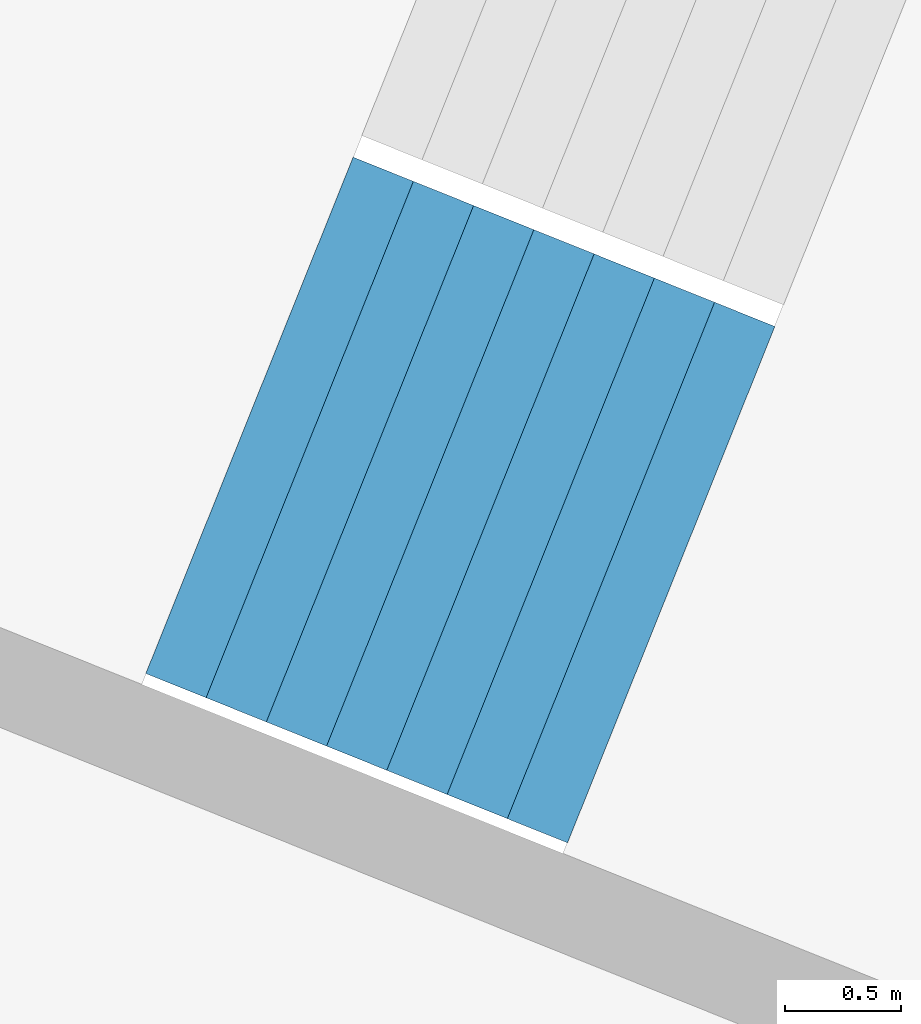
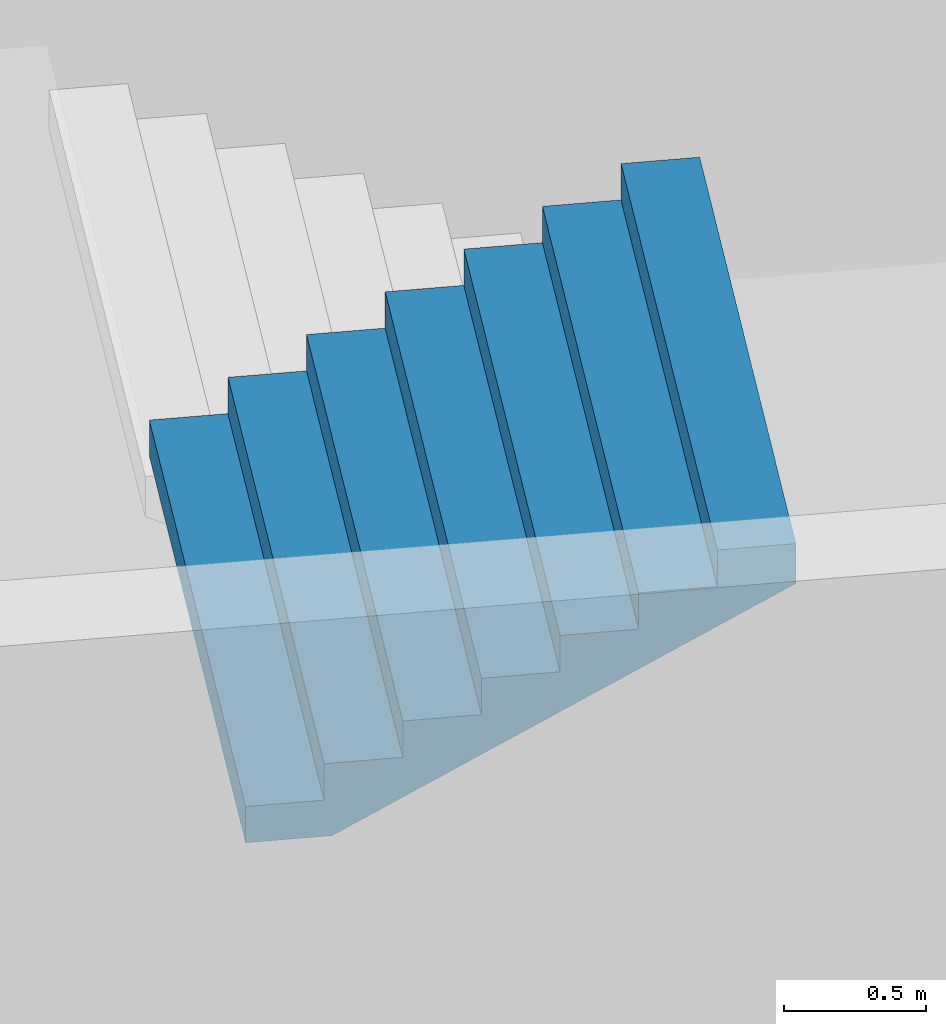
# One storey, part 34 of 73: 1 stair flight, 1 element without a shape of its own.
"""IFC4 building model written with IfcOpenShell, lengths in metres."""

import ifcopenshell
import ifcopenshell.guid

model = None  # the IFC model being written
_history = None  # IfcOwnerHistory: only IFC2X3 demands one
_inside = {}  # id of a spatial element -> (the spatial element, [elements in it])
_under = {}  # id of a project, library or spatial element -> (it, [spatial elements below it])
_declared = {}  # id of a project -> (the project, [libraries it declares])
_typed = {}  # id of a type object -> (the type object, [elements of that type])
_made_of = {}  # id of a material, layer set ... -> (it, [elements and type objects made of it])


def new_model(schema):
    """Start an empty IFC model of exactly this schema.

    Asked for "IFC4X3", IfcOpenShell would pick the latest addendum, in which some entities
    have other attributes; the version numbers below select the first issue.
    IFC2X3 requires an IfcOwnerHistory on every rooted entity: one is made here for all.
    """
    global model, _history
    if schema == "IFC4X3":
        model = ifcopenshell.file(schema_version=(4, 3, 0, 0))
    else:
        model = ifcopenshell.file(schema=schema)
    _inside.clear()
    _under.clear()
    _declared.clear()
    _typed.clear()
    _made_of.clear()
    _history = None
    if model.schema == "IFC2X3":
        org = make("IfcOrganization", Name="unknown")
        user = make(
            "IfcPersonAndOrganization",
            ThePerson=make("IfcPerson", FamilyName="unknown"),
            TheOrganization=org,
        )
        app = make(
            "IfcApplication",
            ApplicationDeveloper=org,
            Version="unknown",
            ApplicationFullName="unknown",
            ApplicationIdentifier="unknown",
        )
        _history = make(
            "IfcOwnerHistory",
            OwningUser=user,
            OwningApplication=app,
            ChangeAction="ADDED",
            CreationDate=0,
        )
    return model


def make(cls, **values):
    """One entity of the class cls with the attributes given. An attribute that is None is left unset."""
    return model.create_entity(
        cls, **{name: value for name, value in values.items() if value is not None}
    )


def rooted(cls, **values):
    """An entity with a GlobalId (a new one), such as an element, a storey or a relation."""
    return make(cls, GlobalId=ifcopenshell.guid.new(), OwnerHistory=_history, **values)


def si_unit(unit_type, name, prefix=None):
    """IfcSIUnit, for example si_unit("LENGTHUNIT", "METRE", prefix="MILLI")."""
    return make("IfcSIUnit", UnitType=unit_type, Prefix=prefix, Name=name)


def assignment(units):
    """IfcUnitAssignment: the units of a project."""
    return None if units is None else make("IfcUnitAssignment", Units=units)


def point(xyz):
    """IfcCartesianPoint."""
    return None if xyz is None else make("IfcCartesianPoint", Coordinates=xyz)


def direction(xyz):
    """IfcDirection."""
    return None if xyz is None else make("IfcDirection", DirectionRatios=xyz)


def frame(location, z_axis=None, x_axis=None):
    """IfcAxis2Placement3D, a coordinate frame: its origin and axes. An axis left out is left unset."""
    return make(
        "IfcAxis2Placement3D",
        Location=point(location),
        Axis=direction(z_axis),
        RefDirection=direction(x_axis),
    )


def origin():
    """The frame at (0, 0, 0) with its axes left unset."""
    return frame((0.0, 0.0, 0.0))


def place(relative_to, where):
    """IfcLocalPlacement: puts the frame where relative to a parent placement (None: the world)."""
    return make(
        "IfcLocalPlacement", PlacementRelTo=relative_to, RelativePlacement=where
    )


def context(
    kind, dimensions, precision=None, world=None, true_north=None, identifier=None
):
    """IfcGeometricRepresentationContext, for example the 3D "Model" context."""
    return make(
        "IfcGeometricRepresentationContext",
        ContextIdentifier=identifier,
        ContextType=kind,
        CoordinateSpaceDimension=dimensions,
        Precision=precision,
        WorldCoordinateSystem=world,
        TrueNorth=true_north,
    )


def subcontext(parent, identifier, kind, view, scale=None):
    """IfcGeometricRepresentationSubContext, for example "Body" below "Model"."""
    return make(
        "IfcGeometricRepresentationSubContext",
        ContextIdentifier=identifier,
        ContextType=kind,
        ParentContext=parent,
        TargetScale=scale,
        TargetView=view,
    )


def project(units=None, contexts=None):
    """IfcProject with its units and contexts."""
    return rooted(
        "IfcProject",
        Name="project",
        RepresentationContexts=contexts,
        UnitsInContext=assignment(units),
    )


def spatial(cls, under=None, at=None, **own):
    """A site, building, storey or space (cls), placed at a placement, below another one or the project."""
    s = rooted(cls, ObjectPlacement=at, **own)
    if under is not None:
        _under.setdefault(under.id(), (under, []))[1].append(s)
    return s


def point_list(points):
    """IfcCartesianPointList2D or 3D."""
    cls = (
        "IfcCartesianPointList2D" if len(points[0]) == 2 else "IfcCartesianPointList3D"
    )
    return make(cls, CoordList=points)


def triangles(points, corners, closed=None, point_numbers=None):
    """IfcTriangulatedFaceSet: each triangle names its three corners, points numbered from 1."""
    return make(
        "IfcTriangulatedFaceSet",
        Coordinates=point_list(points),
        Closed=closed,
        CoordIndex=corners,
        PnIndex=point_numbers,
    )


def shape(context_of_items, identifier, shape_type, items):
    """IfcShapeRepresentation: the items that make up one representation, for example the "Body"."""
    return make(
        "IfcShapeRepresentation",
        ContextOfItems=context_of_items,
        RepresentationIdentifier=identifier,
        RepresentationType=shape_type,
        Items=items,
    )


def material(Name=None, Category=None):
    """IfcMaterial."""
    return make("IfcMaterial", Name=Name, Category=Category)


def made_of(thing, what):
    """Note that an element or type object is made of a material, layer set ...; save() writes the relation."""
    if what is not None:
        _made_of.setdefault(what.id(), (what, []))[1].append(thing)
    return thing


def type_object(cls, material=None, **own):
    """A type object (cls), such as IfcWallType, which elements share."""
    return made_of(rooted(cls, **own), material)


def element(
    cls,
    number,
    at=None,
    inside=None,
    cuts=None,
    type_object=None,
    material=None,
    context=None,
    identifier="Body",
    shape_type=None,
    held_by="IfcProductDefinitionShape",
    body=None,
    shapes=None,
    **own,
):
    """One element of the class cls, such as IfcWall. Its Tag is "e" and its number.

    at: its placement. inside: the storey or other place that contains it. cuts: it is an
    opening in that element (IfcRelVoidsElement). A single representation is given by context,
    identifier, shape_type and body (its items); several are given by shapes. held_by: the class
    of the entity that holds the representations. save() writes the other relations.
    """
    e = rooted(cls, Tag="e%d" % number, ObjectPlacement=at, **own)
    if body is not None:
        shapes = [shape(context, identifier, shape_type, body)]
    if shapes is not None:
        e.Representation = make(held_by, Representations=shapes)
    if inside is not None:
        _inside.setdefault(inside.id(), (inside, []))[1].append(e)
    if cuts is not None:
        rooted(
            "IfcRelVoidsElement", RelatingBuildingElement=cuts, RelatedOpeningElement=e
        )
    if type_object is not None:
        _typed.setdefault(type_object.id(), (type_object, []))[1].append(e)
    return made_of(e, material)


def aggregate(whole, parts):
    """IfcRelAggregates: a whole, such as a stair, and the parts it consists of."""
    return rooted("IfcRelAggregates", RelatingObject=whole, RelatedObjects=parts)


def save(model, path):
    """Write the relations noted so far, then the file.

    IfcRelAggregates (storeys below a building ...), IfcRelContainedInSpatialStructure (elements
    in a storey), IfcRelDefinesByType, IfcRelAssociatesMaterial and IfcRelDeclares: one each for
    every whole, place, type object, material and project.
    """
    for whole, parts in _under.values():
        aggregate(whole, parts)
    for where, things in _inside.values():
        rooted(
            "IfcRelContainedInSpatialStructure",
            RelatedElements=things,
            RelatingStructure=where,
        )
    for kind, things in _typed.values():
        rooted("IfcRelDefinesByType", RelatedObjects=things, RelatingType=kind)
    for what, things in _made_of.values():
        rooted("IfcRelAssociatesMaterial", RelatedObjects=things, RelatingMaterial=what)
    for by, libraries in _declared.values():
        rooted("IfcRelDeclares", RelatingContext=by, RelatedDefinitions=libraries)
    model.write(path)


model = new_model("IFC4")

# Units and contexts
model_context = context("Model", 3, precision=1e-05, world=origin(), true_north=direction((0.0, 1.0)))
body_context = subcontext(model_context, "Body", "Model", "MODEL_VIEW")
ifc_project = project(units=[si_unit("LENGTHUNIT", "METRE"), si_unit("AREAUNIT", "SQUARE_METRE"), si_unit("VOLUMEUNIT", "CUBIC_METRE"), si_unit("PLANEANGLEUNIT", "RADIAN"), si_unit("MASSUNIT", "GRAM", prefix="KILO")], contexts=[model_context])

# Site, building, storey
site_placement = place(None, origin())
site = spatial("IfcSite", under=ifc_project, at=site_placement, CompositionType="ELEMENT")
building_placement = place(site_placement, origin())
building = spatial("IfcBuilding", under=site, at=building_placement, Name="Lantaw Convention Tower", CompositionType="ELEMENT")
storey_placement = place(building_placement, frame((0.0, 0.0, 22.0)))
storey = spatial("IfcBuildingStorey", under=building, at=storey_placement, Name="L03", CompositionType="ELEMENT", Elevation=22.0)

# Stair, stair flight
ifc_material = material(Name="Concrete C35/45", Category="concrete")
stair_type = type_object("IfcStairType", Name="Exit stair 2400 riser 156.25 in 4 flights", PredefinedType="HALF_TURN_STAIR", material=ifc_material)
stair_placement = place(storey_placement, origin())
stair = element("IfcStair", 1, at=stair_placement, inside=storey, type_object=stair_type, Name="Podium exit stair P8 L03", PredefinedType="HALF_TURN_STAIR")
stair_flight_type = type_object("IfcStairFlightType", Name="Stair flight 2400 riser 156.25", PredefinedType="STRAIGHT", material=ifc_material)
stair_flight_placement = place(storey_placement, frame((-38.5498046875, 14.12841796875, 3.75), z_axis=(0.0, 0.0, 1.0), x_axis=(0.928015168305, -0.372542410198, 0.0)))
stair_flight = element("IfcStairFlight", 2, at=stair_flight_placement, type_object=stair_flight_type, Name="P8 flight 4", NumberOfRisers=8, NumberOfTreads=7, PredefinedType="STRAIGHT", RiserHeight=0.15625, TreadLength=0.28, context=body_context, shape_type="Tessellation", body=[
    triangles([(0.0, 1.199951171875, 0.0), (0.0, 1.199951171875, 0.15625), (0.28, 1.199951171875, 0.0), (0.28, 1.199951171875, 0.15625), (0.28, 1.199951171875, 0.3125), (0.3076200632058044, 1.199951171875, 0.0), (0.3076200632058044, 1.199951171875, 0.3125), (0.56, 1.199951171875, 0.14083701830033238), (0.56, 1.199951171875, 0.3125), (0.56, 1.199951171875, 0.46875), (0.8400000000000001, 1.199951171875, 0.29708701830033235), (0.8400000000000001, 1.199951171875, 0.46875), (0.8400000000000001, 1.199951171875, 0.625), (1.12, 1.199951171875, 0.45333701830033235), (1.12, 1.199951171875, 0.625), (1.12, 1.199951171875, 0.78125), (1.4000000000000001, 1.199951171875, 0.6095870183003324), (1.4000000000000001, 1.199951171875, 0.78125), (1.4000000000000001, 1.199951171875, 0.9375), (1.6800000000000002, 1.199951171875, 0.7658370183003324), (1.6800000000000002, 1.199951171875, 0.9375), (1.6800000000000002, 1.199951171875, 1.09375), (1.9600000000000002, 1.199951171875, 0.9220870183003324), (1.9600000000000002, 1.199951171875, 1.09375), (0.0, -1.199951171875, 0.0), (0.0, -1.199951171875, 0.15625), (0.28, -1.199951171875, 0.0), (0.28, -1.199951171875, 0.15625), (0.28, -1.199951171875, 0.3125), (0.3076200632058044, -1.199951171875, 0.0), (0.3076200632058044, -1.199951171875, 0.3125), (0.56, -1.199951171875, 0.14083701830033238), (0.56, -1.199951171875, 0.3125), (0.56, -1.199951171875, 0.46875), (0.8400000000000001, -1.199951171875, 0.29708701830033235), (0.8400000000000001, -1.199951171875, 0.46875), (0.8400000000000001, -1.199951171875, 0.625), (1.12, -1.199951171875, 0.45333701830033235), (1.12, -1.199951171875, 0.625), (1.12, -1.199951171875, 0.78125), (1.4000000000000001, -1.199951171875, 0.6095870183003324), (1.4000000000000001, -1.199951171875, 0.78125), (1.4000000000000001, -1.199951171875, 0.9375), (1.6800000000000002, -1.199951171875, 0.7658370183003324), (1.6800000000000002, -1.199951171875, 0.9375), (1.6800000000000002, -1.199951171875, 1.09375), (1.9600000000000002, -1.199951171875, 0.9220870183003324), (1.9600000000000002, -1.199951171875, 1.09375), (0.0, 0.239990234375, 0.15625), (0.0, 0.239990234375, 0.0), (0.0, 0.1919921875, 0.15625), (0.0, 0.1919921875, 0.0), (0.0, 0.143994140625, 0.15625), (0.0, 0.143994140625, 0.0), (0.0, 0.09599609375, 0.15625), (0.0, 0.09599609375, 0.0), (0.0, 0.047998046875, 0.15625), (0.0, 0.047998046875, 0.0), (0.0, 0.0, 0.15625), (0.0, 0.0, 0.0), (0.0, -0.047998046875, 0.15625), (0.0, -0.047998046875, 0.0), (0.0, -0.09599609375, 0.15625), (0.0, -0.09599609375, 0.0), (0.0, -0.143994140625, 0.15625), (0.0, -0.143994140625, 0.0), (0.0, -0.1919921875, 0.15625), (0.0, -0.1919921875, 0.0), (0.0, -0.239990234375, 0.15625), (0.0, -0.239990234375, 0.0), (0.28, 0.239990234375, 0.3125), (0.28, 0.239990234375, 0.15625), (0.28, 0.1919921875, 0.3125), (0.28, 0.1919921875, 0.15625), (0.28, 0.143994140625, 0.3125), (0.28, 0.143994140625, 0.15625), (0.28, 0.09599609375, 0.3125), (0.28, 0.09599609375, 0.15625), (0.28, 0.047998046875, 0.3125), (0.28, 0.047998046875, 0.15625), (0.28, 0.0, 0.3125), (0.28, 0.0, 0.15625), (0.28, -0.047998046875, 0.3125), (0.28, -0.047998046875, 0.15625), (0.28, -0.09599609375, 0.3125), (0.28, -0.09599609375, 0.15625), (0.28, -0.143994140625, 0.3125), (0.28, -0.143994140625, 0.15625), (0.28, -0.1919921875, 0.3125), (0.28, -0.1919921875, 0.15625), (0.28, -0.239990234375, 0.3125), (0.28, -0.239990234375, 0.15625), (0.56, 0.239990234375, 0.46875), (0.56, 0.239990234375, 0.3125), (0.56, 0.1919921875, 0.46875), (0.56, 0.1919921875, 0.3125), (0.56, 0.143994140625, 0.46875), (0.56, 0.143994140625, 0.3125), (0.56, 0.09599609375, 0.46875), (0.56, 0.09599609375, 0.3125), (0.56, 0.047998046875, 0.46875), (0.56, 0.047998046875, 0.3125), (0.56, 0.0, 0.46875), (0.56, 0.0, 0.3125), (0.56, -0.047998046875, 0.46875), (0.56, -0.047998046875, 0.3125), (0.56, -0.09599609375, 0.46875), (0.56, -0.09599609375, 0.3125), (0.56, -0.143994140625, 0.46875), (0.56, -0.143994140625, 0.3125), (0.56, -0.1919921875, 0.46875), (0.56, -0.1919921875, 0.3125), (0.56, -0.239990234375, 0.46875), (0.56, -0.239990234375, 0.3125), (0.8400000000000001, 0.239990234375, 0.625), (0.8400000000000001, 0.239990234375, 0.46875), (0.8400000000000001, 0.1919921875, 0.625), (0.8400000000000001, 0.1919921875, 0.46875), (0.8400000000000001, 0.143994140625, 0.625), (0.8400000000000001, 0.143994140625, 0.46875), (0.8400000000000001, 0.09599609375, 0.625), (0.8400000000000001, 0.09599609375, 0.46875), (0.8400000000000001, 0.047998046875, 0.625), (0.8400000000000001, 0.047998046875, 0.46875), (0.8400000000000001, 0.0, 0.625), (0.8400000000000001, 0.0, 0.46875), (0.8400000000000001, -0.047998046875, 0.625), (0.8400000000000001, -0.047998046875, 0.46875), (0.8400000000000001, -0.09599609375, 0.625), (0.8400000000000001, -0.09599609375, 0.46875), (0.8400000000000001, -0.143994140625, 0.625), (0.8400000000000001, -0.143994140625, 0.46875), (0.8400000000000001, -0.1919921875, 0.625), (0.8400000000000001, -0.1919921875, 0.46875), (0.8400000000000001, -0.239990234375, 0.625), (0.8400000000000001, -0.239990234375, 0.46875), (1.12, 0.239990234375, 0.78125), (1.12, 0.239990234375, 0.625), (1.12, 0.1919921875, 0.78125), (1.12, 0.1919921875, 0.625), (1.12, 0.143994140625, 0.78125), (1.12, 0.143994140625, 0.625), (1.12, 0.09599609375, 0.78125), (1.12, 0.09599609375, 0.625), (1.12, 0.047998046875, 0.78125), (1.12, 0.047998046875, 0.625), (1.12, 0.0, 0.78125), (1.12, 0.0, 0.625), (1.12, -0.047998046875, 0.78125), (1.12, -0.047998046875, 0.625), (1.12, -0.09599609375, 0.78125), (1.12, -0.09599609375, 0.625), (1.12, -0.143994140625, 0.78125), (1.12, -0.143994140625, 0.625), (1.12, -0.1919921875, 0.78125), (1.12, -0.1919921875, 0.625), (1.12, -0.239990234375, 0.78125), (1.12, -0.239990234375, 0.625), (1.4000000000000001, 0.239990234375, 0.9375), (1.4000000000000001, 0.239990234375, 0.78125), (1.4000000000000001, 0.1919921875, 0.9375), (1.4000000000000001, 0.1919921875, 0.78125), (1.4000000000000001, 0.143994140625, 0.9375), (1.4000000000000001, 0.143994140625, 0.78125), (1.4000000000000001, 0.09599609375, 0.9375), (1.4000000000000001, 0.09599609375, 0.78125), (1.4000000000000001, 0.047998046875, 0.9375), (1.4000000000000001, 0.047998046875, 0.78125), (1.4000000000000001, 0.0, 0.9375), (1.4000000000000001, 0.0, 0.78125), (1.4000000000000001, -0.047998046875, 0.9375), (1.4000000000000001, -0.047998046875, 0.78125), (1.4000000000000001, -0.09599609375, 0.9375), (1.4000000000000001, -0.09599609375, 0.78125), (1.4000000000000001, -0.143994140625, 0.9375), (1.4000000000000001, -0.143994140625, 0.78125), (1.4000000000000001, -0.1919921875, 0.9375), (1.4000000000000001, -0.1919921875, 0.78125), (1.4000000000000001, -0.239990234375, 0.9375), (1.4000000000000001, -0.239990234375, 0.78125), (1.6800000000000002, 0.239990234375, 1.09375), (1.6800000000000002, 0.239990234375, 0.9375), (1.6800000000000002, 0.1919921875, 1.09375), (1.6800000000000002, 0.1919921875, 0.9375), (1.6800000000000002, 0.143994140625, 1.09375), (1.6800000000000002, 0.143994140625, 0.9375), (1.6800000000000002, 0.09599609375, 1.09375), (1.6800000000000002, 0.09599609375, 0.9375), (1.6800000000000002, 0.047998046875, 1.09375), (1.6800000000000002, 0.047998046875, 0.9375), (1.6800000000000002, 0.0, 1.09375), (1.6800000000000002, 0.0, 0.9375), (1.6800000000000002, -0.047998046875, 1.09375), (1.6800000000000002, -0.047998046875, 0.9375), (1.6800000000000002, -0.09599609375, 1.09375), (1.6800000000000002, -0.09599609375, 0.9375), (1.6800000000000002, -0.143994140625, 1.09375), (1.6800000000000002, -0.143994140625, 0.9375), (1.6800000000000002, -0.1919921875, 1.09375), (1.6800000000000002, -0.1919921875, 0.9375), (1.6800000000000002, -0.239990234375, 1.09375), (1.6800000000000002, -0.239990234375, 0.9375), (0.3076200632058044, 0.239990234375, 0.3125), (0.3076200632058044, 0.1919921875, 0.3125), (0.3076200632058044, 0.143994140625, 0.3125), (0.3076200632058044, 0.09599609375, 0.3125), (0.3076200632058044, 0.047998046875, 0.3125), (0.3076200632058044, 0.0, 0.3125), (0.3076200632058044, -0.047998046875, 0.3125), (0.3076200632058044, -0.09599609375, 0.3125), (0.3076200632058044, -0.143994140625, 0.3125), (0.3076200632058044, -0.1919921875, 0.3125), (0.3076200632058044, -0.239990234375, 0.3125), (1.9600000000000002, 0.239990234375, 1.09375), (1.9600000000000002, 0.1919921875, 1.09375), (1.9600000000000002, 0.143994140625, 1.09375), (1.9600000000000002, 0.09599609375, 1.09375), (1.9600000000000002, 0.047998046875, 1.09375), (1.9600000000000002, 0.0, 1.09375), (1.9600000000000002, -0.047998046875, 1.09375), (1.9600000000000002, -0.09599609375, 1.09375), (1.9600000000000002, -0.143994140625, 1.09375), (1.9600000000000002, -0.1919921875, 1.09375), (1.9600000000000002, -0.239990234375, 1.09375), (1.9600000000000002, 0.239990234375, 0.9220870183003324), (1.9600000000000002, 0.1919921875, 0.9220870183003324), (1.9600000000000002, 0.143994140625, 0.9220870183003324), (1.9600000000000002, 0.09599609375, 0.9220870183003324), (1.9600000000000002, 0.047998046875, 0.9220870183003324), (1.9600000000000002, 0.0, 0.9220870183003324), (1.9600000000000002, -0.047998046875, 0.9220870183003324), (1.9600000000000002, -0.09599609375, 0.9220870183003324), (1.9600000000000002, -0.143994140625, 0.9220870183003324), (1.9600000000000002, -0.1919921875, 0.9220870183003324), (1.9600000000000002, -0.239990234375, 0.9220870183003324), (1.6800000000000002, 0.239990234375, 0.7658370183003324), (1.6800000000000002, 0.1919921875, 0.7658370183003324), (1.6800000000000002, 0.143994140625, 0.7658370183003324), (1.6800000000000002, 0.09599609375, 0.7658370183003324), (1.6800000000000002, 0.047998046875, 0.7658370183003324), (1.6800000000000002, 0.0, 0.7658370183003324), (1.6800000000000002, -0.047998046875, 0.7658370183003324), (1.6800000000000002, -0.09599609375, 0.7658370183003324), (1.6800000000000002, -0.143994140625, 0.7658370183003324), (1.6800000000000002, -0.1919921875, 0.7658370183003324), (1.6800000000000002, -0.239990234375, 0.7658370183003324), (1.4000000000000001, 0.239990234375, 0.6095870183003324), (1.4000000000000001, 0.1919921875, 0.6095870183003324), (1.4000000000000001, 0.143994140625, 0.6095870183003324), (1.4000000000000001, 0.09599609375, 0.6095870183003324), (1.4000000000000001, 0.047998046875, 0.6095870183003324), (1.4000000000000001, 0.0, 0.6095870183003324), (1.4000000000000001, -0.047998046875, 0.6095870183003324), (1.4000000000000001, -0.09599609375, 0.6095870183003324), (1.4000000000000001, -0.143994140625, 0.6095870183003324), (1.4000000000000001, -0.1919921875, 0.6095870183003324), (1.4000000000000001, -0.239990234375, 0.6095870183003324), (1.12, 0.239990234375, 0.45333701830033235), (1.12, 0.1919921875, 0.45333701830033235), (1.12, 0.143994140625, 0.45333701830033235), (1.12, 0.09599609375, 0.45333701830033235), (1.12, 0.047998046875, 0.45333701830033235), (1.12, 0.0, 0.45333701830033235), (1.12, -0.047998046875, 0.45333701830033235), (1.12, -0.09599609375, 0.45333701830033235), (1.12, -0.143994140625, 0.45333701830033235), (1.12, -0.1919921875, 0.45333701830033235), (1.12, -0.239990234375, 0.45333701830033235), (0.8400000000000001, 0.239990234375, 0.29708701830033235), (0.8400000000000001, 0.1919921875, 0.29708701830033235), (0.8400000000000001, 0.143994140625, 0.29708701830033235), (0.8400000000000001, 0.09599609375, 0.29708701830033235), (0.8400000000000001, 0.047998046875, 0.29708701830033235), (0.8400000000000001, 0.0, 0.29708701830033235), (0.8400000000000001, -0.047998046875, 0.29708701830033235), (0.8400000000000001, -0.09599609375, 0.29708701830033235), (0.8400000000000001, -0.143994140625, 0.29708701830033235), (0.8400000000000001, -0.1919921875, 0.29708701830033235), (0.8400000000000001, -0.239990234375, 0.29708701830033235), (0.56, 0.239990234375, 0.14083701830033238), (0.56, 0.1919921875, 0.14083701830033238), (0.56, 0.143994140625, 0.14083701830033238), (0.56, 0.09599609375, 0.14083701830033238), (0.56, 0.047998046875, 0.14083701830033238), (0.56, 0.0, 0.14083701830033238), (0.56, -0.047998046875, 0.14083701830033238), (0.56, -0.09599609375, 0.14083701830033238), (0.56, -0.143994140625, 0.14083701830033238), (0.56, -0.1919921875, 0.14083701830033238), (0.56, -0.239990234375, 0.14083701830033238), (0.3076200632058044, 0.239990234375, 0.0), (0.3076200632058044, 0.1919921875, 0.0), (0.3076200632058044, 0.143994140625, 0.0), (0.3076200632058044, 0.09599609375, 0.0), (0.3076200632058044, 0.047998046875, 0.0), (0.3076200632058044, 0.0, 0.0), (0.3076200632058044, -0.047998046875, 0.0), (0.3076200632058044, -0.09599609375, 0.0), (0.3076200632058044, -0.143994140625, 0.0), (0.3076200632058044, -0.1919921875, 0.0), (0.3076200632058044, -0.239990234375, 0.0), (0.28, 0.239990234375, 0.0), (0.28, 0.1919921875, 0.0), (0.28, 0.143994140625, 0.0), (0.28, 0.09599609375, 0.0), (0.28, 0.047998046875, 0.0), (0.28, 0.0, 0.0), (0.28, -0.047998046875, 0.0), (0.28, -0.09599609375, 0.0), (0.28, -0.143994140625, 0.0), (0.28, -0.1919921875, 0.0), (0.28, -0.239990234375, 0.0)], [[1, 4, 3], [1, 2, 4], [3, 4, 6], [4, 7, 6], [4, 5, 7], [6, 9, 8], [6, 7, 9], [8, 9, 11], [9, 12, 11], [9, 10, 12], [11, 12, 14], [12, 15, 14], [12, 13, 15], [14, 15, 17], [15, 18, 17], [15, 16, 18], [17, 18, 20], [18, 21, 20], [18, 19, 21], [20, 21, 23], [21, 24, 23], [21, 22, 24], [25, 27, 28], [25, 28, 26], [27, 30, 28], [28, 30, 31], [28, 31, 29], [30, 32, 33], [30, 33, 31], [32, 35, 33], [33, 35, 36], [33, 36, 34], [35, 38, 36], [36, 38, 39], [36, 39, 37], [38, 41, 39], [39, 41, 42], [39, 42, 40], [41, 44, 42], [42, 44, 45], [42, 45, 43], [44, 47, 45], [45, 47, 48], [45, 48, 46], [1, 49, 2], [1, 50, 49], [50, 51, 49], [50, 52, 51], [52, 53, 51], [52, 54, 53], [54, 55, 53], [54, 56, 55], [56, 57, 55], [56, 58, 57], [58, 59, 57], [58, 60, 59], [60, 61, 59], [60, 62, 61], [62, 63, 61], [62, 64, 63], [64, 65, 63], [64, 66, 65], [66, 67, 65], [66, 68, 67], [68, 69, 67], [68, 70, 69], [70, 26, 69], [70, 25, 26], [4, 71, 5], [4, 72, 71], [72, 73, 71], [72, 74, 73], [74, 75, 73], [74, 76, 75], [76, 77, 75], [76, 78, 77], [78, 79, 77], [78, 80, 79], [80, 81, 79], [80, 82, 81], [82, 83, 81], [82, 84, 83], [84, 85, 83], [84, 86, 85], [86, 87, 85], [86, 88, 87], [88, 89, 87], [88, 90, 89], [90, 91, 89], [90, 92, 91], [92, 29, 91], [92, 28, 29], [9, 93, 10], [9, 94, 93], [94, 95, 93], [94, 96, 95], [96, 97, 95], [96, 98, 97], [98, 99, 97], [98, 100, 99], [100, 101, 99], [100, 102, 101], [102, 103, 101], [102, 104, 103], [104, 105, 103], [104, 106, 105], [106, 107, 105], [106, 108, 107], [108, 109, 107], [108, 110, 109], [110, 111, 109], [110, 112, 111], [112, 113, 111], [112, 114, 113], [114, 34, 113], [114, 33, 34], [12, 115, 13], [12, 116, 115], [116, 117, 115], [116, 118, 117], [118, 119, 117], [118, 120, 119], [120, 121, 119], [120, 122, 121], [122, 123, 121], [122, 124, 123], [124, 125, 123], [124, 126, 125], [126, 127, 125], [126, 128, 127], [128, 129, 127], [128, 130, 129], [130, 131, 129], [130, 132, 131], [132, 133, 131], [132, 134, 133], [134, 135, 133], [134, 136, 135], [136, 37, 135], [136, 36, 37], [15, 137, 16], [15, 138, 137], [138, 139, 137], [138, 140, 139], [140, 141, 139], [140, 142, 141], [142, 143, 141], [142, 144, 143], [144, 145, 143], [144, 146, 145], [146, 147, 145], [146, 148, 147], [148, 149, 147], [148, 150, 149], [150, 151, 149], [150, 152, 151], [152, 153, 151], [152, 154, 153], [154, 155, 153], [154, 156, 155], [156, 157, 155], [156, 158, 157], [158, 40, 157], [158, 39, 40], [18, 159, 19], [18, 160, 159], [160, 161, 159], [160, 162, 161], [162, 163, 161], [162, 164, 163], [164, 165, 163], [164, 166, 165], [166, 167, 165], [166, 168, 167], [168, 169, 167], [168, 170, 169], [170, 171, 169], [170, 172, 171], [172, 173, 171], [172, 174, 173], [174, 175, 173], [174, 176, 175], [176, 177, 175], [176, 178, 177], [178, 179, 177], [178, 180, 179], [180, 43, 179], [180, 42, 43], [21, 181, 22], [21, 182, 181], [182, 183, 181], [182, 184, 183], [184, 185, 183], [184, 186, 185], [186, 187, 185], [186, 188, 187], [188, 189, 187], [188, 190, 189], [190, 191, 189], [190, 192, 191], [192, 193, 191], [192, 194, 193], [194, 195, 193], [194, 196, 195], [196, 197, 195], [196, 198, 197], [198, 199, 197], [198, 200, 199], [200, 201, 199], [200, 202, 201], [202, 46, 201], [202, 45, 46], [2, 72, 4], [2, 49, 72], [49, 74, 72], [49, 51, 74], [51, 76, 74], [51, 53, 76], [53, 78, 76], [53, 55, 78], [55, 80, 78], [55, 57, 80], [57, 82, 80], [57, 59, 82], [59, 84, 82], [59, 61, 84], [61, 86, 84], [61, 63, 86], [63, 88, 86], [63, 65, 88], [65, 90, 88], [65, 67, 90], [67, 92, 90], [67, 69, 92], [69, 28, 92], [69, 26, 28], [5, 203, 7], [5, 71, 203], [71, 204, 203], [71, 73, 204], [73, 205, 204], [73, 75, 205], [75, 206, 205], [75, 77, 206], [77, 207, 206], [77, 79, 207], [79, 208, 207], [79, 81, 208], [81, 209, 208], [81, 83, 209], [83, 210, 209], [83, 85, 210], [85, 211, 210], [85, 87, 211], [87, 212, 211], [87, 89, 212], [89, 213, 212], [89, 91, 213], [91, 31, 213], [91, 29, 31], [7, 94, 9], [7, 203, 94], [203, 96, 94], [203, 204, 96], [204, 98, 96], [204, 205, 98], [205, 100, 98], [205, 206, 100], [206, 102, 100], [206, 207, 102], [207, 104, 102], [207, 208, 104], [208, 106, 104], [208, 209, 106], [209, 108, 106], [209, 210, 108], [210, 110, 108], [210, 211, 110], [211, 112, 110], [211, 212, 112], [212, 114, 112], [212, 213, 114], [213, 33, 114], [213, 31, 33], [10, 116, 12], [10, 93, 116], [93, 118, 116], [93, 95, 118], [95, 120, 118], [95, 97, 120], [97, 122, 120], [97, 99, 122], [99, 124, 122], [99, 101, 124], [101, 126, 124], [101, 103, 126], [103, 128, 126], [103, 105, 128], [105, 130, 128], [105, 107, 130], [107, 132, 130], [107, 109, 132], [109, 134, 132], [109, 111, 134], [111, 136, 134], [111, 113, 136], [113, 36, 136], [113, 34, 36], [13, 138, 15], [13, 115, 138], [115, 140, 138], [115, 117, 140], [117, 142, 140], [117, 119, 142], [119, 144, 142], [119, 121, 144], [121, 146, 144], [121, 123, 146], [123, 148, 146], [123, 125, 148], [125, 150, 148], [125, 127, 150], [127, 152, 150], [127, 129, 152], [129, 154, 152], [129, 131, 154], [131, 156, 154], [131, 133, 156], [133, 158, 156], [133, 135, 158], [135, 39, 158], [135, 37, 39], [16, 160, 18], [16, 137, 160], [137, 162, 160], [137, 139, 162], [139, 164, 162], [139, 141, 164], [141, 166, 164], [141, 143, 166], [143, 168, 166], [143, 145, 168], [145, 170, 168], [145, 147, 170], [147, 172, 170], [147, 149, 172], [149, 174, 172], [149, 151, 174], [151, 176, 174], [151, 153, 176], [153, 178, 176], [153, 155, 178], [155, 180, 178], [155, 157, 180], [157, 42, 180], [157, 40, 42], [19, 182, 21], [19, 159, 182], [159, 184, 182], [159, 161, 184], [161, 186, 184], [161, 163, 186], [163, 188, 186], [163, 165, 188], [165, 190, 188], [165, 167, 190], [167, 192, 190], [167, 169, 192], [169, 194, 192], [169, 171, 194], [171, 196, 194], [171, 173, 196], [173, 198, 196], [173, 175, 198], [175, 200, 198], [175, 177, 200], [177, 202, 200], [177, 179, 202], [179, 45, 202], [179, 43, 45], [22, 214, 24], [22, 181, 214], [181, 215, 214], [181, 183, 215], [183, 216, 215], [183, 185, 216], [185, 217, 216], [185, 187, 217], [187, 218, 217], [187, 189, 218], [189, 219, 218], [189, 191, 219], [191, 220, 219], [191, 193, 220], [193, 221, 220], [193, 195, 221], [195, 222, 221], [195, 197, 222], [197, 223, 222], [197, 199, 223], [199, 224, 223], [199, 201, 224], [201, 48, 224], [201, 46, 48], [24, 225, 23], [24, 214, 225], [214, 226, 225], [214, 215, 226], [215, 227, 226], [215, 216, 227], [216, 228, 227], [216, 217, 228], [217, 229, 228], [217, 218, 229], [218, 230, 229], [218, 219, 230], [219, 231, 230], [219, 220, 231], [220, 232, 231], [220, 221, 232], [221, 233, 232], [221, 222, 233], [222, 234, 233], [222, 223, 234], [223, 235, 234], [223, 224, 235], [224, 47, 235], [224, 48, 47], [23, 236, 20], [23, 225, 236], [225, 237, 236], [225, 226, 237], [226, 238, 237], [226, 227, 238], [227, 239, 238], [227, 228, 239], [228, 240, 239], [228, 229, 240], [229, 241, 240], [229, 230, 241], [230, 242, 241], [230, 231, 242], [231, 243, 242], [231, 232, 243], [232, 244, 243], [232, 233, 244], [233, 245, 244], [233, 234, 245], [234, 246, 245], [234, 235, 246], [235, 44, 246], [235, 47, 44], [20, 247, 17], [20, 236, 247], [236, 248, 247], [236, 237, 248], [237, 249, 248], [237, 238, 249], [238, 250, 249], [238, 239, 250], [239, 251, 250], [239, 240, 251], [240, 252, 251], [240, 241, 252], [241, 253, 252], [241, 242, 253], [242, 254, 253], [242, 243, 254], [243, 255, 254], [243, 244, 255], [244, 256, 255], [244, 245, 256], [245, 257, 256], [245, 246, 257], [246, 41, 257], [246, 44, 41], [17, 258, 14], [17, 247, 258], [247, 259, 258], [247, 248, 259], [248, 260, 259], [248, 249, 260], [249, 261, 260], [249, 250, 261], [250, 262, 261], [250, 251, 262], [251, 263, 262], [251, 252, 263], [252, 264, 263], [252, 253, 264], [253, 265, 264], [253, 254, 265], [254, 266, 265], [254, 255, 266], [255, 267, 266], [255, 256, 267], [256, 268, 267], [256, 257, 268], [257, 38, 268], [257, 41, 38], [14, 269, 11], [14, 258, 269], [258, 270, 269], [258, 259, 270], [259, 271, 270], [259, 260, 271], [260, 272, 271], [260, 261, 272], [261, 273, 272], [261, 262, 273], [262, 274, 273], [262, 263, 274], [263, 275, 274], [263, 264, 275], [264, 276, 275], [264, 265, 276], [265, 277, 276], [265, 266, 277], [266, 278, 277], [266, 267, 278], [267, 279, 278], [267, 268, 279], [268, 35, 279], [268, 38, 35], [11, 280, 8], [11, 269, 280], [269, 281, 280], [269, 270, 281], [270, 282, 281], [270, 271, 282], [271, 283, 282], [271, 272, 283], [272, 284, 283], [272, 273, 284], [273, 285, 284], [273, 274, 285], [274, 286, 285], [274, 275, 286], [275, 287, 286], [275, 276, 287], [276, 288, 287], [276, 277, 288], [277, 289, 288], [277, 278, 289], [278, 290, 289], [278, 279, 290], [279, 32, 290], [279, 35, 32], [8, 291, 6], [8, 280, 291], [280, 292, 291], [280, 281, 292], [281, 293, 292], [281, 282, 293], [282, 294, 293], [282, 283, 294], [283, 295, 294], [283, 284, 295], [284, 296, 295], [284, 285, 296], [285, 297, 296], [285, 286, 297], [286, 298, 297], [286, 287, 298], [287, 299, 298], [287, 288, 299], [288, 300, 299], [288, 289, 300], [289, 301, 300], [289, 290, 301], [290, 30, 301], [290, 32, 30], [6, 302, 3], [6, 291, 302], [291, 303, 302], [291, 292, 303], [292, 304, 303], [292, 293, 304], [293, 305, 304], [293, 294, 305], [294, 306, 305], [294, 295, 306], [295, 307, 306], [295, 296, 307], [296, 308, 307], [296, 297, 308], [297, 309, 308], [297, 298, 309], [298, 310, 309], [298, 299, 310], [299, 311, 310], [299, 300, 311], [300, 312, 311], [300, 301, 312], [301, 27, 312], [301, 30, 27], [3, 50, 1], [3, 302, 50], [302, 52, 50], [302, 303, 52], [303, 54, 52], [303, 304, 54], [304, 56, 54], [304, 305, 56], [305, 58, 56], [305, 306, 58], [306, 60, 58], [306, 307, 60], [307, 62, 60], [307, 308, 62], [308, 64, 62], [308, 309, 64], [309, 66, 64], [309, 310, 66], [310, 68, 66], [310, 311, 68], [311, 70, 68], [311, 312, 70], [312, 25, 70], [312, 27, 25]], closed=True),
])
aggregate(stair, [stair_flight])

save(model, "model.ifc")
